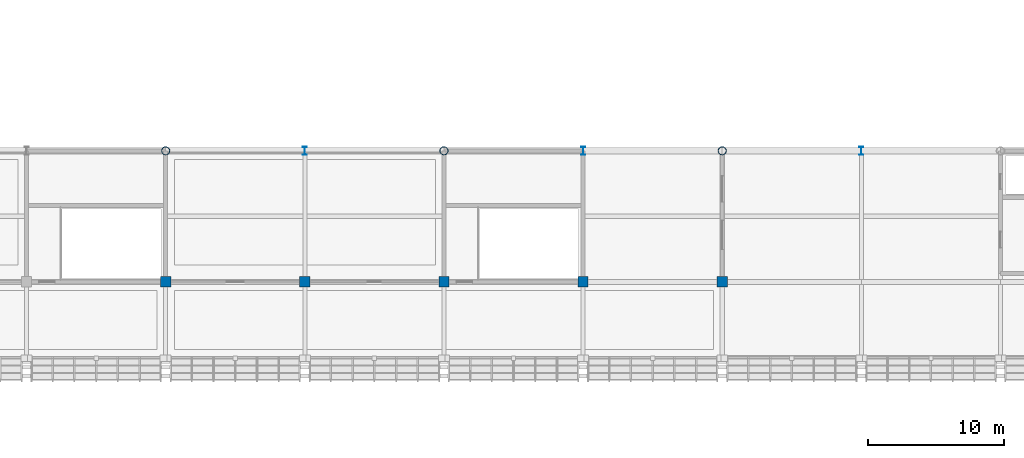
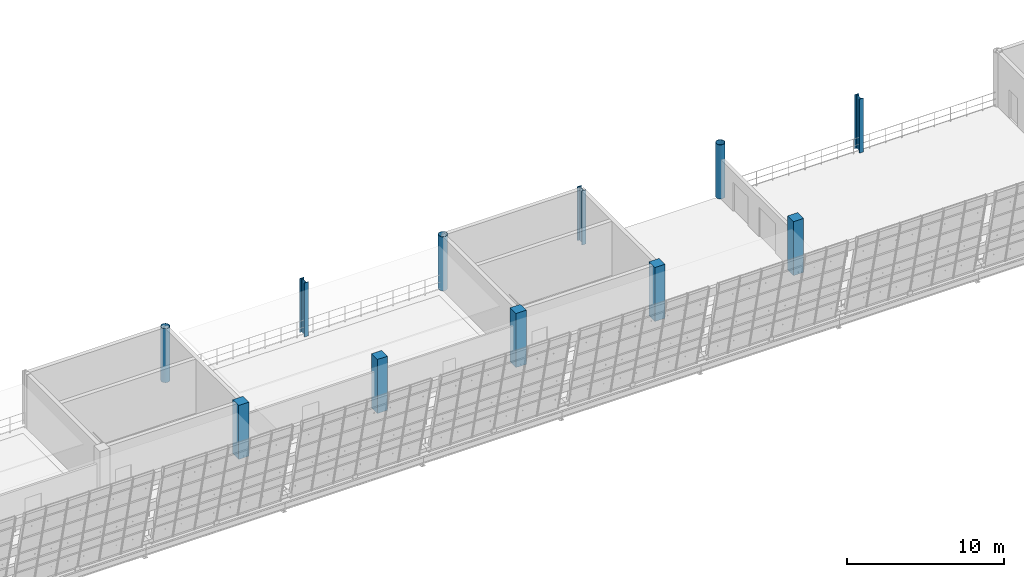
# One storey, part 3 of 157: 11 columns.
"""IFC4 building model written with IfcOpenShell, lengths in metres."""

import ifcopenshell
import ifcopenshell.guid

model = None  # the IFC model being written
_history = None  # IfcOwnerHistory: only IFC2X3 demands one
_inside = {}  # id of a spatial element -> (the spatial element, [elements in it])
_under = {}  # id of a project, library or spatial element -> (it, [spatial elements below it])
_declared = {}  # id of a project -> (the project, [libraries it declares])
_typed = {}  # id of a type object -> (the type object, [elements of that type])
_made_of = {}  # id of a material, layer set ... -> (it, [elements and type objects made of it])


def new_model(schema):
    """Start an empty IFC model of exactly this schema.

    Asked for "IFC4X3", IfcOpenShell would pick the latest addendum, in which some entities
    have other attributes; the version numbers below select the first issue.
    IFC2X3 requires an IfcOwnerHistory on every rooted entity: one is made here for all.
    """
    global model, _history
    if schema == "IFC4X3":
        model = ifcopenshell.file(schema_version=(4, 3, 0, 0))
    else:
        model = ifcopenshell.file(schema=schema)
    _inside.clear()
    _under.clear()
    _declared.clear()
    _typed.clear()
    _made_of.clear()
    _history = None
    if model.schema == "IFC2X3":
        org = make("IfcOrganization", Name="unknown")
        user = make(
            "IfcPersonAndOrganization",
            ThePerson=make("IfcPerson", FamilyName="unknown"),
            TheOrganization=org,
        )
        app = make(
            "IfcApplication",
            ApplicationDeveloper=org,
            Version="unknown",
            ApplicationFullName="unknown",
            ApplicationIdentifier="unknown",
        )
        _history = make(
            "IfcOwnerHistory",
            OwningUser=user,
            OwningApplication=app,
            ChangeAction="ADDED",
            CreationDate=0,
        )
    return model


def make(cls, **values):
    """One entity of the class cls with the attributes given. An attribute that is None is left unset."""
    return model.create_entity(
        cls, **{name: value for name, value in values.items() if value is not None}
    )


def rooted(cls, **values):
    """An entity with a GlobalId (a new one), such as an element, a storey or a relation."""
    return make(cls, GlobalId=ifcopenshell.guid.new(), OwnerHistory=_history, **values)


def si_unit(unit_type, name, prefix=None):
    """IfcSIUnit, for example si_unit("LENGTHUNIT", "METRE", prefix="MILLI")."""
    return make("IfcSIUnit", UnitType=unit_type, Prefix=prefix, Name=name)


def assignment(units):
    """IfcUnitAssignment: the units of a project."""
    return None if units is None else make("IfcUnitAssignment", Units=units)


def point(xyz):
    """IfcCartesianPoint."""
    return None if xyz is None else make("IfcCartesianPoint", Coordinates=xyz)


def direction(xyz):
    """IfcDirection."""
    return None if xyz is None else make("IfcDirection", DirectionRatios=xyz)


def frame(location, z_axis=None, x_axis=None):
    """IfcAxis2Placement3D, a coordinate frame: its origin and axes. An axis left out is left unset."""
    return make(
        "IfcAxis2Placement3D",
        Location=point(location),
        Axis=direction(z_axis),
        RefDirection=direction(x_axis),
    )


def frame_2d(location, x_axis=None):
    """IfcAxis2Placement2D, a coordinate frame in the plane: its origin and x axis."""
    return make(
        "IfcAxis2Placement2D", Location=point(location), RefDirection=direction(x_axis)
    )


def origin():
    """The frame at (0, 0, 0) with its axes left unset."""
    return frame((0.0, 0.0, 0.0))


def origin_2d():
    """The frame at (0, 0) in the plane with its x axis left unset."""
    return frame_2d((0.0, 0.0))


def place(relative_to, where):
    """IfcLocalPlacement: puts the frame where relative to a parent placement (None: the world)."""
    return make(
        "IfcLocalPlacement", PlacementRelTo=relative_to, RelativePlacement=where
    )


def context(
    kind, dimensions, precision=None, world=None, true_north=None, identifier=None
):
    """IfcGeometricRepresentationContext, for example the 3D "Model" context."""
    return make(
        "IfcGeometricRepresentationContext",
        ContextIdentifier=identifier,
        ContextType=kind,
        CoordinateSpaceDimension=dimensions,
        Precision=precision,
        WorldCoordinateSystem=world,
        TrueNorth=true_north,
    )


def subcontext(parent, identifier, kind, view, scale=None):
    """IfcGeometricRepresentationSubContext, for example "Body" below "Model"."""
    return make(
        "IfcGeometricRepresentationSubContext",
        ContextIdentifier=identifier,
        ContextType=kind,
        ParentContext=parent,
        TargetScale=scale,
        TargetView=view,
    )


def project(units=None, contexts=None):
    """IfcProject with its units and contexts."""
    return rooted(
        "IfcProject",
        Name="project",
        RepresentationContexts=contexts,
        UnitsInContext=assignment(units),
    )


def spatial(cls, under=None, at=None, **own):
    """A site, building, storey or space (cls), placed at a placement, below another one or the project."""
    s = rooted(cls, ObjectPlacement=at, **own)
    if under is not None:
        _under.setdefault(under.id(), (under, []))[1].append(s)
    return s


def profile(cls, at=None, kind="AREA", **sizes):
    """A parametric profile (cls). Its sizes go by their IFC names, for example OverallWidth=200.0."""
    return make(cls, ProfileType=kind, Position=at, **sizes)


def rectangle(**sizes):
    """IfcRectangleProfileDef."""
    return profile("IfcRectangleProfileDef", **sizes)


def hollow_circle(**sizes):
    """IfcCircleHollowProfileDef."""
    return profile("IfcCircleHollowProfileDef", **sizes)


def i_section(**sizes):
    """IfcIShapeProfileDef."""
    return profile("IfcIShapeProfileDef", **sizes)


def extrude(swept, where, along, depth):
    """IfcExtrudedAreaSolid: the profile swept, set in the frame where, extruded along a direction by depth."""
    return make(
        "IfcExtrudedAreaSolid",
        SweptArea=swept,
        Position=where,
        ExtrudedDirection=direction(along),
        Depth=depth,
    )


def shape(context_of_items, identifier, shape_type, items):
    """IfcShapeRepresentation: the items that make up one representation, for example the "Body"."""
    return make(
        "IfcShapeRepresentation",
        ContextOfItems=context_of_items,
        RepresentationIdentifier=identifier,
        RepresentationType=shape_type,
        Items=items,
    )


def material(Name=None, Category=None):
    """IfcMaterial."""
    return make("IfcMaterial", Name=Name, Category=Category)


def material_profile(
    of_material, cross_section, Name=None, Category=None, Priority=None
):
    """IfcMaterialProfile: a cross section and its material."""
    return make(
        "IfcMaterialProfile",
        Name=Name,
        Material=of_material,
        Profile=cross_section,
        Priority=Priority,
        Category=Category,
    )


def profile_set(profiles, Name=None, composite=None):
    """IfcMaterialProfileSet."""
    return make(
        "IfcMaterialProfileSet",
        Name=Name,
        MaterialProfiles=profiles,
        CompositeProfile=composite,
    )


def made_of(thing, what):
    """Note that an element or type object is made of a material, layer set ...; save() writes the relation."""
    if what is not None:
        _made_of.setdefault(what.id(), (what, []))[1].append(thing)
    return thing


def type_object(cls, material=None, **own):
    """A type object (cls), such as IfcWallType, which elements share."""
    return made_of(rooted(cls, **own), material)


def element(
    cls,
    number,
    at=None,
    inside=None,
    cuts=None,
    type_object=None,
    material=None,
    context=None,
    identifier="Body",
    shape_type=None,
    held_by="IfcProductDefinitionShape",
    body=None,
    shapes=None,
    **own,
):
    """One element of the class cls, such as IfcWall. Its Tag is "e" and its number.

    at: its placement. inside: the storey or other place that contains it. cuts: it is an
    opening in that element (IfcRelVoidsElement). A single representation is given by context,
    identifier, shape_type and body (its items); several are given by shapes. held_by: the class
    of the entity that holds the representations. save() writes the other relations.
    """
    e = rooted(cls, Tag="e%d" % number, ObjectPlacement=at, **own)
    if body is not None:
        shapes = [shape(context, identifier, shape_type, body)]
    if shapes is not None:
        e.Representation = make(held_by, Representations=shapes)
    if inside is not None:
        _inside.setdefault(inside.id(), (inside, []))[1].append(e)
    if cuts is not None:
        rooted(
            "IfcRelVoidsElement", RelatingBuildingElement=cuts, RelatedOpeningElement=e
        )
    if type_object is not None:
        _typed.setdefault(type_object.id(), (type_object, []))[1].append(e)
    return made_of(e, material)


def aggregate(whole, parts):
    """IfcRelAggregates: a whole, such as a stair, and the parts it consists of."""
    return rooted("IfcRelAggregates", RelatingObject=whole, RelatedObjects=parts)


def save(model, path):
    """Write the relations noted so far, then the file.

    IfcRelAggregates (storeys below a building ...), IfcRelContainedInSpatialStructure (elements
    in a storey), IfcRelDefinesByType, IfcRelAssociatesMaterial and IfcRelDeclares: one each for
    every whole, place, type object, material and project.
    """
    for whole, parts in _under.values():
        aggregate(whole, parts)
    for where, things in _inside.values():
        rooted(
            "IfcRelContainedInSpatialStructure",
            RelatedElements=things,
            RelatingStructure=where,
        )
    for kind, things in _typed.values():
        rooted("IfcRelDefinesByType", RelatedObjects=things, RelatingType=kind)
    for what, things in _made_of.values():
        rooted("IfcRelAssociatesMaterial", RelatedObjects=things, RelatingMaterial=what)
    for by, libraries in _declared.values():
        rooted("IfcRelDeclares", RelatingContext=by, RelatedDefinitions=libraries)
    model.write(path)


model = new_model("IFC4")

# Units and contexts
model_context = context("Model", 3, precision=1e-05, world=origin(), true_north=direction((0.0, 1.0)))
body_context = subcontext(model_context, "Body", "Model", "MODEL_VIEW")
ifc_project = project(units=[si_unit("LENGTHUNIT", "METRE"), si_unit("AREAUNIT", "SQUARE_METRE"), si_unit("VOLUMEUNIT", "CUBIC_METRE"), si_unit("PLANEANGLEUNIT", "RADIAN"), si_unit("MASSUNIT", "GRAM", prefix="KILO")], contexts=[model_context])

# Site, building, storey
site_placement = place(None, origin())
site = spatial("IfcSite", under=ifc_project, at=site_placement, CompositionType="ELEMENT")
building_placement = place(site_placement, origin())
building = spatial("IfcBuilding", under=site, at=building_placement, Name="Brelvane Convention Centre", CompositionType="ELEMENT")
storey_placement = place(building_placement, frame((0.0, 0.0, 10.800048828125)))
storey = spatial("IfcBuildingStorey", under=building, at=storey_placement, Name="L02", CompositionType="ELEMENT", Elevation=10.800048828125)

# Columns
ifc_material_1 = material(Name="Concrete M50", Category="concrete")
ifc_material_profile_1 = material_profile(ifc_material_1, rectangle(XDim=0.75, YDim=0.75, at=origin_2d()), Name="RC 750x750")
ifc_profile_set_1 = profile_set([ifc_material_profile_1], Name="Concrete M50")
column_type_1 = type_object("IfcColumnType", Name="RC Column C-RC3 (RC 750x750)", PredefinedType="COLUMN", material=ifc_profile_set_1)
for number, where, z_axis, x_axis, name in (
    (1, (61.199951171875, 19.199951171875, 0.0), (0.0, 0.0, 1.0), (1.0, 0.0, 0.0), "Column 7-C (L02)"),
    (2, (71.39990234375, 19.199951171875, 0.0), (0.0, 0.0, 1.0), (1.0, 0.0, 0.0), "Column 8-C (L02)"),
    (3, (81.60009765625, 19.199951171875, 0.0), (0.0, 0.0, 1.0), (1.0, 0.0, 0.0), "Column 9-C (L02)"),
    (4, (91.800048828125, 19.199951171875, 0.0), (0.0, 0.0, 1.0), (1.0, 0.0, 0.0), "Column 10-C (L02)"),
    (5, (102.0, 19.199951171875, 0.0), (0.0, 0.0, 1.0), (1.0, 0.0, 0.0), "Column 11-C (L02)"),
):
    element("IfcColumn", number, at=place(storey_placement, frame(where, z_axis=z_axis, x_axis=x_axis)), inside=storey, type_object=column_type_1, Name=name, PredefinedType="COLUMN", context=body_context, shape_type="SweptSolid", body=[
        extrude(rectangle(XDim=0.75, YDim=0.75, at=origin_2d()), origin(), (0.0, 0.0, 1.0), 4.199951171875),
    ])
ifc_material_2 = material(Name="Steel E450 (450 MPa)", Category="steel")
ifc_material_profile_2 = material_profile(ifc_material_2, hollow_circle(Radius=0.304931640625, WallThickness=0.02490234375, at=origin_2d()), Name="CHS 610.0x25.0")
ifc_profile_set_2 = profile_set([ifc_material_profile_2], Name="Steel E450 (450 MPa)")
column_type_2 = type_object("IfcColumnType", Name="Steel Column C-ST1 (CHS 610.0x25.0)", PredefinedType="COLUMN", material=ifc_profile_set_2)
for number, where, z_axis, x_axis, name in (
    (6, (61.199951171875, 28.800048828125, 0.0), (0.0, 0.0, 1.0), (1.0, 0.0, 0.0), "Column 7-D (L02)"),
    (7, (81.60009765625, 28.800048828125, 0.0), (0.0, 0.0, 1.0), (1.0, 0.0, 0.0), "Column 9-D (L02)"),
    (8, (102.0, 28.800048828125, 0.0), (0.0, 0.0, 1.0), (1.0, 0.0, 0.0), "Column 11-D (L02)"),
):
    element("IfcColumn", number, at=place(storey_placement, frame(where, z_axis=z_axis, x_axis=x_axis)), inside=storey, type_object=column_type_2, Name=name, PredefinedType="COLUMN", context=body_context, shape_type="SweptSolid", body=[
        extrude(hollow_circle(Radius=0.304931640625, WallThickness=0.02490234375, at=origin_2d()), origin(), (0.0, 0.0, 1.0), 4.199951171875),
    ])
ifc_material_3 = material(Name="Steel E450 (450 MPa)", Category="steel")
ifc_material_profile_3 = material_profile(ifc_material_3, i_section(OverallWidth=0.300048828125, OverallDepth=0.60009765625, WebThickness=0.015380859375, FlangeThickness=0.030029296875, FilletRadius=0.027099609375, at=origin_2d()), Name="WPB 600x300")
ifc_profile_set_3 = profile_set([ifc_material_profile_3], Name="Steel E450 (450 MPa)")
column_type_3 = type_object("IfcColumnType", Name="Steel Column C-ST5 (WPB 600x300)", PredefinedType="COLUMN", material=ifc_profile_set_3)
for number, where, z_axis, x_axis, name in (
    (9, (71.39990234375, 28.800048828125, 0.0), (0.0, 0.0, 1.0), (1.0, 0.0, 0.0), "Column 8-D (L02)"),
    (10, (91.800048828125, 28.800048828125, 0.0), (0.0, 0.0, 1.0), (1.0, 0.0, 0.0), "Column 10-D (L02)"),
    (11, (112.199951171875, 28.800048828125, 0.0), (0.0, 0.0, 1.0), (1.0, 0.0, 0.0), "Column 12-D (L02)"),
):
    element("IfcColumn", number, at=place(storey_placement, frame(where, z_axis=z_axis, x_axis=x_axis)), inside=storey, type_object=column_type_3, Name=name, PredefinedType="COLUMN", context=body_context, shape_type="SweptSolid", body=[
        extrude(i_section(OverallWidth=0.300048828125, OverallDepth=0.60009765625, WebThickness=0.015380859375, FlangeThickness=0.030029296875, FilletRadius=0.027099609375, at=origin_2d()), origin(), (0.0, 0.0, 1.0), 4.199951171875),
    ])

save(model, "model.ifc")
